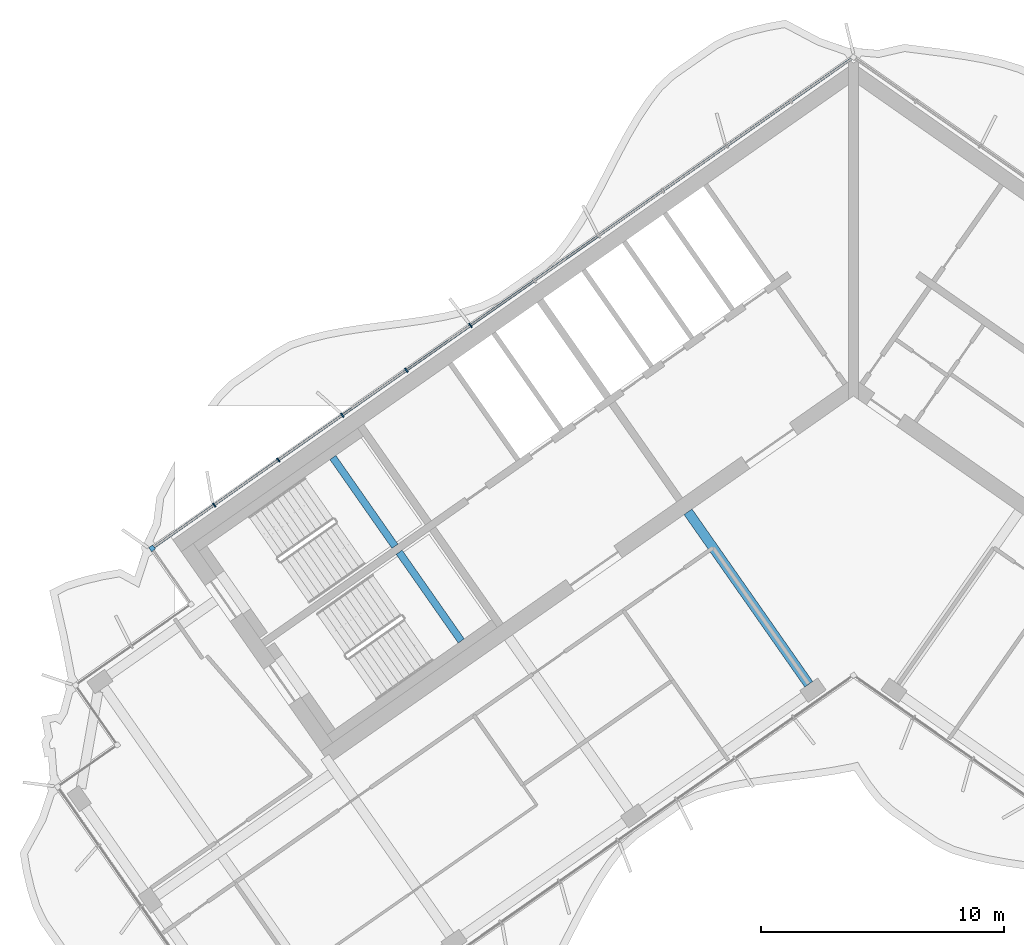
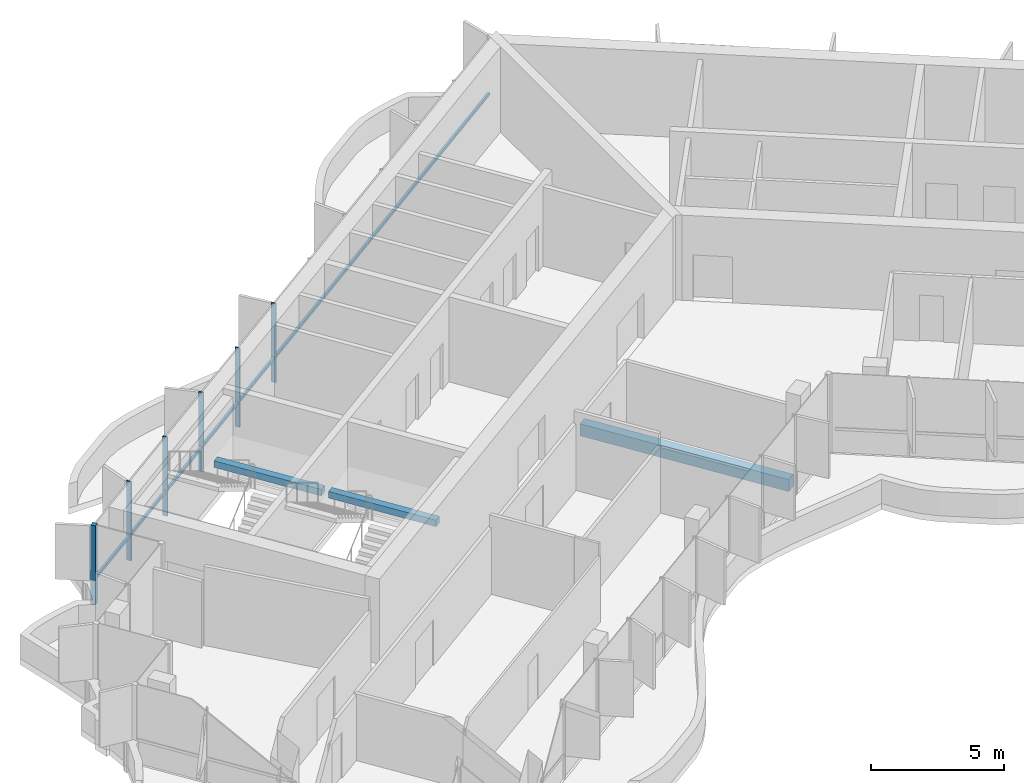
# One storey, part 3 of 18: 7 members, 3 beams, 1 element without a shape of its own.
"""IFC4 building model written with IfcOpenShell, lengths in metres."""

from ifc_helpers import new_model, si_unit, direction, frame, origin, origin_2d, place, context, subcontext, project, spatial, rectangle, extrude, material, material_profile, profile_set, type_object, element, aggregate, save


model = new_model("IFC4")

# Units and contexts
model_context = context("Model", 3, precision=1e-05, world=origin(), true_north=direction((0.0, 1.0)))
body_context = subcontext(model_context, "Body", "Model", "MODEL_VIEW")
ifc_project = project(units=[si_unit("LENGTHUNIT", "METRE"), si_unit("AREAUNIT", "SQUARE_METRE"), si_unit("VOLUMEUNIT", "CUBIC_METRE"), si_unit("PLANEANGLEUNIT", "RADIAN"), si_unit("MASSUNIT", "GRAM", prefix="KILO")], contexts=[model_context])

# Site, building, storey
site_placement = place(None, origin())
site = spatial("IfcSite", under=ifc_project, at=site_placement, CompositionType="ELEMENT")
building_placement = place(site_placement, origin())
building = spatial("IfcBuilding", under=site, at=building_placement, Name="Tel Ilan Convention Tower", CompositionType="ELEMENT")
storey_placement = place(building_placement, frame((0.0, 0.0, 272.199951171875)))
storey = spatial("IfcBuildingStorey", under=building, at=storey_placement, Name="L64", CompositionType="ELEMENT", Elevation=272.199951171875)

# Beam
ifc_material_1 = material(Name="Concrete C40/50", Category="concrete")
ifc_material_profile_1 = material_profile(ifc_material_1, rectangle(XDim=0.39990234375, YDim=0.550048828125, at=origin_2d()), Name="RC 400x550")
ifc_profile_set_1 = profile_set([ifc_material_profile_1], Name="Concrete C40/50")
beam_type_1 = type_object("IfcBeamType", Name="Beam RC 400x550 Concrete C40/50", PredefinedType="BEAM", material=ifc_profile_set_1)
beam_1_placement = place(storey_placement, frame((-1.83740234375, -13.06689453125, -0.554931640625), z_axis=(-0.573574099654, 0.819153680457, 0.0), x_axis=(-0.819153680457, -0.573574099654, 0.0)))
element("IfcBeam", 1, at=beam_1_placement, inside=storey, type_object=beam_type_1, Name="L64 beam W-W-F1-core", PredefinedType="BEAM", context=body_context, shape_type="SweptSolid", body=[
    extrude(rectangle(XDim=0.39990234375, YDim=0.550048828125, at=origin_2d()), origin(), (0.0, 0.0, 1.0), 8.64990234375),
])

# Curtain wall, members
ifc_material_2 = material(Name="Aluminium, bronze anodised", Category="aluminium")
curtain_wall_type = type_object("IfcCurtainWallType", Name="CW2 STICK CURTAIN WALL, SPANDREL PANELS", PredefinedType="NOTDEFINED", material=ifc_material_2)
curtain_wall_placement = place(storey_placement, origin())
curtain_wall = element("IfcCurtainWall", 2, at=curtain_wall_placement, inside=storey, type_object=curtain_wall_type, Name="Curtain wall CW2-49.03", PredefinedType="NOTDEFINED")
ifc_material_3 = material(Name="Aluminium, bronze anodised", Category="aluminium")
ifc_material_profile_2 = material_profile(ifc_material_3, rectangle(XDim=0.199951171875, YDim=0.199951171875, at=origin_2d()), Name="CW CORNER MULLION 200x200")
ifc_profile_set_2 = profile_set([ifc_material_profile_2], Name="Aluminium, bronze anodised")
member_type_1 = type_object("IfcMemberType", Name="CW CORNER MULLION 200x200", PredefinedType="MULLION", material=ifc_profile_set_2)
member_1_placement = place(storey_placement, frame((-28.819580078125, -7.483642578125, 0.0), z_axis=(0.0, 0.0, 1.0), x_axis=(-0.819152044289, -0.573576436351, 0.0)))
member_1 = element("IfcMember", 3, at=member_1_placement, type_object=member_type_1, Name="Corner mullion", PredefinedType="MULLION", context=body_context, shape_type="SweptSolid", body=[
    extrude(rectangle(XDim=0.199951171875, YDim=0.199951171875, at=origin_2d()), origin(), (0.0, 0.0, 1.0), 3.6201171875),
])
ifc_material_4 = material(Name="Aluminium, bronze anodised", Category="aluminium")
ifc_material_profile_3 = material_profile(ifc_material_4, rectangle(XDim=0.06005859375, YDim=0.199951171875, at=origin_2d()), Name="CW MULLION 60x200")
ifc_profile_set_3 = profile_set([ifc_material_profile_3], Name="Aluminium, bronze anodised")
member_type_2 = type_object("IfcMemberType", Name="CW MULLION 60x200", PredefinedType="MULLION", material=ifc_profile_set_3)
member_2_placement = place(storey_placement, frame((-15.73828125, 1.676025390625, 0.0), z_axis=(0.0, 0.0, 1.0), x_axis=(-0.819152044289, -0.573576436351, 0.0)))
member_2 = element("IfcMember", 4, at=member_2_placement, type_object=member_type_2, Name="Mullion", PredefinedType="MULLION", context=body_context, shape_type="SweptSolid", body=[
    extrude(rectangle(XDim=0.06005859375, YDim=0.199951171875, at=origin_2d()), origin(), (0.0, 0.0, 1.0), 3.6201171875),
])
member_3_placement = place(storey_placement, frame((-18.37109375, -0.16748046875, 0.0), z_axis=(0.0, 0.0, 1.0), x_axis=(-0.819152044289, -0.573576436351, 0.0)))
member_3 = element("IfcMember", 5, at=member_3_placement, type_object=member_type_2, Name="Mullion", PredefinedType="MULLION", context=body_context, shape_type="SweptSolid", body=[
    extrude(rectangle(XDim=0.06005859375, YDim=0.199951171875, at=origin_2d()), origin(), (0.0, 0.0, 1.0), 3.6201171875),
])
member_4_placement = place(storey_placement, frame((-21.003662109375, -2.0107421875, 0.0), z_axis=(0.0, 0.0, 1.0), x_axis=(-0.819152044289, -0.573576436351, 0.0)))
member_4 = element("IfcMember", 6, at=member_4_placement, type_object=member_type_2, Name="Mullion", PredefinedType="MULLION", context=body_context, shape_type="SweptSolid", body=[
    extrude(rectangle(XDim=0.06005859375, YDim=0.199951171875, at=origin_2d()), origin(), (0.0, 0.0, 1.0), 3.6201171875),
])
member_5_placement = place(storey_placement, frame((-23.63623046875, -3.854248046875, 0.0), z_axis=(0.0, 0.0, 1.0), x_axis=(-0.819152044289, -0.573576436351, 0.0)))
member_5 = element("IfcMember", 7, at=member_5_placement, type_object=member_type_2, Name="Mullion", PredefinedType="MULLION", context=body_context, shape_type="SweptSolid", body=[
    extrude(rectangle(XDim=0.06005859375, YDim=0.199951171875, at=origin_2d()), origin(), (0.0, 0.0, 1.0), 3.6201171875),
])
member_6_placement = place(storey_placement, frame((-26.268798828125, -5.697509765625, 0.0), z_axis=(0.0, 0.0, 1.0), x_axis=(-0.819152044289, -0.573576436351, 0.0)))
member_6 = element("IfcMember", 8, at=member_6_placement, type_object=member_type_2, Name="Mullion", PredefinedType="MULLION", context=body_context, shape_type="SweptSolid", body=[
    extrude(rectangle(XDim=0.06005859375, YDim=0.199951171875, at=origin_2d()), origin(), (0.0, 0.0, 1.0), 3.6201171875),
])
ifc_material_5 = material(Name="Aluminium, bronze anodised", Category="aluminium")
ifc_material_profile_4 = material_profile(ifc_material_5, rectangle(XDim=0.10009765625, YDim=0.1201171875, at=origin_2d()), Name="CW TRANSOM 100x120")
ifc_profile_set_4 = profile_set([ifc_material_profile_4], Name="Aluminium, bronze anodised")
member_type_3 = type_object("IfcMemberType", Name="CW TRANSOM 100x120", PredefinedType="USERDEFINED", material=ifc_profile_set_4)
member_7_placement = place(storey_placement, frame((-0.1064453125, 12.62158203125, 1.10009765625), z_axis=(-0.819150201937, -0.573579067494, 0.0), x_axis=(0.573579067494, -0.819150201937, 0.0)))
member_7 = element("IfcMember", 9, at=member_7_placement, type_object=member_type_3, Name="Transom", ObjectType="TRANSOM", PredefinedType="USERDEFINED", context=body_context, shape_type="SweptSolid", body=[
    extrude(rectangle(XDim=0.10009765625, YDim=0.1201171875, at=origin_2d()), origin(), (0.0, 0.0, 1.0), 34.9521484375),
])
aggregate(curtain_wall, [member_2, member_3, member_4, member_5, member_6, member_1, member_7])

# Beams
ifc_material_6 = material(Name="Concrete C40/50", Category="concrete")
ifc_material_profile_5 = material_profile(ifc_material_6, rectangle(XDim=0.300048828125, YDim=0.300048828125, at=origin_2d()), Name="RC 300x300")
ifc_profile_set_5 = profile_set([ifc_material_profile_5], Name="Concrete C40/50")
beam_type_2 = type_object("IfcBeamType", Name="Landing Beam RC 300x300 Concrete C40/50", PredefinedType="BEAM", material=ifc_profile_set_5)
beam_2_placement = place(storey_placement, frame((-18.841796875, -7.394287109375, 1.60009765625), z_axis=(-0.573547030514, 0.819172633691, 0.0), x_axis=(-0.819172633691, -0.573547030514, 0.0)))
element("IfcBeam", 10, at=beam_2_placement, inside=storey, type_object=beam_type_2, Name="S1 landing beam L64.1", PredefinedType="BEAM", context=body_context, shape_type="SweptSolid", body=[
    extrude(rectangle(XDim=0.300048828125, YDim=0.300048828125, at=origin_2d()), origin(), (0.0, 0.0, 1.0), 4.449951171875),
])
beam_3_placement = place(storey_placement, frame((-16.1171875, -11.285400390625, 1.60009765625), z_axis=(-0.573583844845, 0.819146856756, 0.0), x_axis=(-0.819146856756, -0.573583844845, 0.0)))
element("IfcBeam", 11, at=beam_3_placement, inside=storey, type_object=beam_type_2, Name="S2 landing beam L64.1", PredefinedType="BEAM", context=body_context, shape_type="SweptSolid", body=[
    extrude(rectangle(XDim=0.300048828125, YDim=0.300048828125, at=origin_2d()), origin(), (0.0, 0.0, 1.0), 4.4501953125),
])

save(model, "model.ifc")
